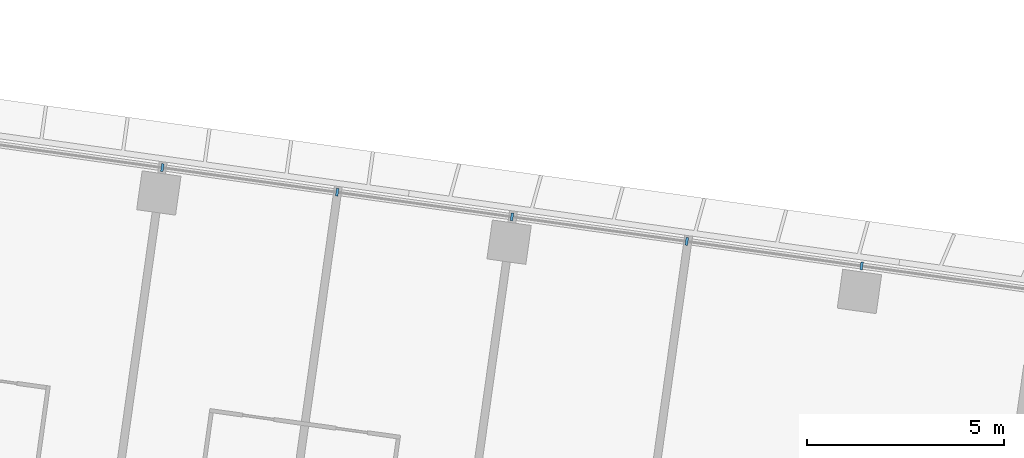
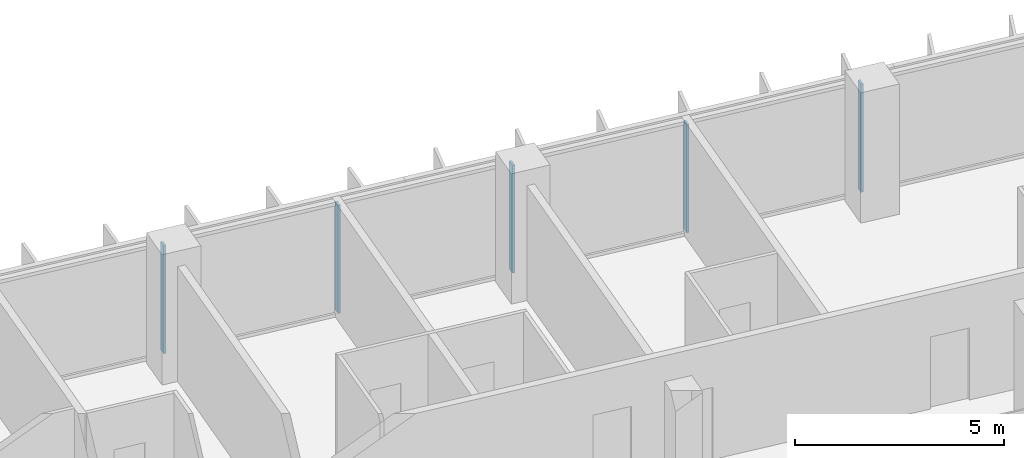
# One storey, part 5 of 24: 5 members, 1 element without a shape of its own.
"""IFC4 building model written with IfcOpenShell, lengths in metres."""

from ifc_helpers import new_model, si_unit, direction, frame, origin, origin_2d, place, context, subcontext, project, spatial, rectangle, extrude, material, material_profile, profile_set, type_object, element, aggregate, save


model = new_model("IFC4")

# Units and contexts
model_context = context("Model", 3, precision=1e-05, world=origin(), true_north=direction((0.0, 1.0)))
body_context = subcontext(model_context, "Body", "Model", "MODEL_VIEW")
ifc_project = project(units=[si_unit("LENGTHUNIT", "METRE"), si_unit("AREAUNIT", "SQUARE_METRE"), si_unit("VOLUMEUNIT", "CUBIC_METRE"), si_unit("PLANEANGLEUNIT", "RADIAN"), si_unit("MASSUNIT", "GRAM", prefix="KILO")], contexts=[model_context])

# Site, building, storey
site_placement = place(None, origin())
site = spatial("IfcSite", under=ifc_project, at=site_placement, CompositionType="ELEMENT")
building_placement = place(site_placement, origin())
building = spatial("IfcBuilding", under=site, at=building_placement, Name="Mirante Cascada Hotel Towers", CompositionType="ELEMENT")
storey_placement = place(building_placement, frame((0.0, 0.0, 50.9)))
storey = spatial("IfcBuildingStorey", under=building, at=storey_placement, Name="L09", CompositionType="ELEMENT", Elevation=50.9)

# Curtain wall, members
ifc_material_1 = material(Name="Aluminium mullion and transom frame with clear laminated glass", Category="aluminium")
curtain_wall_type = type_object("IfcCurtainWallType", Name="Ribbon curtain wall ECW1", PredefinedType="NOTDEFINED", material=ifc_material_1)
curtain_wall_placement = place(storey_placement, origin())
curtain_wall = element("IfcCurtainWall", 1, at=curtain_wall_placement, inside=storey, type_object=curtain_wall_type, Name="Front ribbon wall T1 L09", PredefinedType="NOTDEFINED")
ifc_material_2 = material(Name="Anodised aluminium extrusion", Category="aluminium")
ifc_material_profile = material_profile(ifc_material_2, rectangle(XDim=0.2, YDim=0.065, at=origin_2d()), Name="ECW1 MULLION 65x200")
ifc_profile_set = profile_set([ifc_material_profile], Name="Anodised aluminium extrusion")
member_type = type_object("IfcMemberType", Name="ECW1 mullion 65x200", PredefinedType="MULLION", material=ifc_profile_set)
member_1_placement = place(storey_placement, frame((-63.0262, 21.6768, 0.1), z_axis=(0.0, 0.0, 1.0), x_axis=(0.1391731, 0.9902681, 0.0)))
member_1 = element("IfcMember", 2, at=member_1_placement, type_object=member_type, Name="ECW1 mullion 8", PredefinedType="MULLION", context=body_context, shape_type="SweptSolid", body=[
    extrude(rectangle(XDim=0.2, YDim=0.065, at=origin_2d()), origin(), (0.0, 0.0, 1.0), 3.15),
])
member_2_placement = place(storey_placement, frame((-58.5788, 21.0517, 0.1), z_axis=(0.0, 0.0, 1.0), x_axis=(0.1391731, 0.9902681, 0.0)))
member_2 = element("IfcMember", 3, at=member_2_placement, type_object=member_type, Name="ECW1 mullion 9", PredefinedType="MULLION", context=body_context, shape_type="SweptSolid", body=[
    extrude(rectangle(XDim=0.2, YDim=0.065, at=origin_2d()), origin(), (0.0, 0.0, 1.0), 3.15),
])
member_3_placement = place(storey_placement, frame((-54.1314, 20.4267, 0.1), z_axis=(0.0, 0.0, 1.0), x_axis=(0.1391731, 0.9902681, 0.0)))
member_3 = element("IfcMember", 4, at=member_3_placement, type_object=member_type, Name="ECW1 mullion 10", PredefinedType="MULLION", context=body_context, shape_type="SweptSolid", body=[
    extrude(rectangle(XDim=0.2, YDim=0.065, at=origin_2d()), origin(), (0.0, 0.0, 1.0), 3.15),
])
member_4_placement = place(storey_placement, frame((-49.684, 19.8017, 0.1), z_axis=(0.0, 0.0, 1.0), x_axis=(0.1391731, 0.9902681, 0.0)))
member_4 = element("IfcMember", 5, at=member_4_placement, type_object=member_type, Name="ECW1 mullion 11", PredefinedType="MULLION", context=body_context, shape_type="SweptSolid", body=[
    extrude(rectangle(XDim=0.2, YDim=0.065, at=origin_2d()), origin(), (0.0, 0.0, 1.0), 3.15),
])
member_5_placement = place(storey_placement, frame((-45.2366, 19.1766, 0.1), z_axis=(0.0, 0.0, 1.0), x_axis=(0.1391731, 0.9902681, 0.0)))
member_5 = element("IfcMember", 6, at=member_5_placement, type_object=member_type, Name="ECW1 mullion 12", PredefinedType="MULLION", context=body_context, shape_type="SweptSolid", body=[
    extrude(rectangle(XDim=0.2, YDim=0.065, at=origin_2d()), origin(), (0.0, 0.0, 1.0), 3.15),
])
aggregate(curtain_wall, [member_1, member_2, member_3, member_4, member_5])

save(model, "model.ifc")
